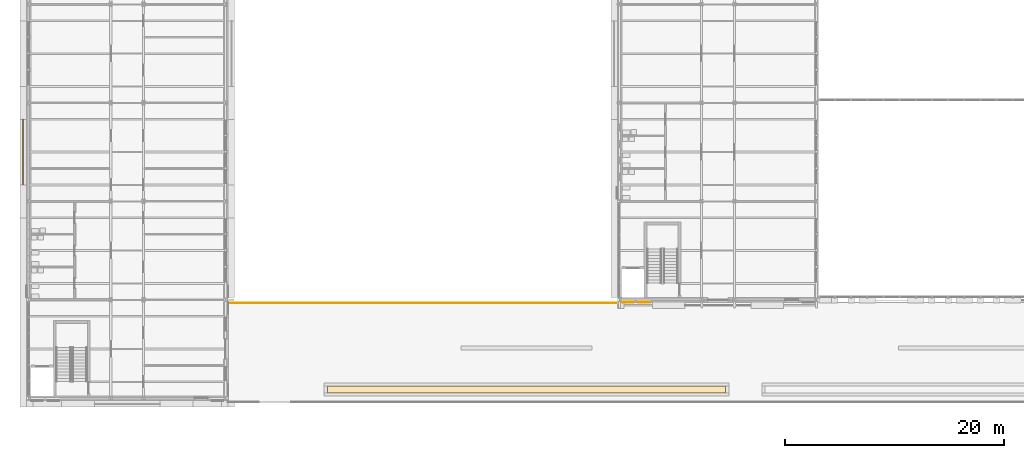
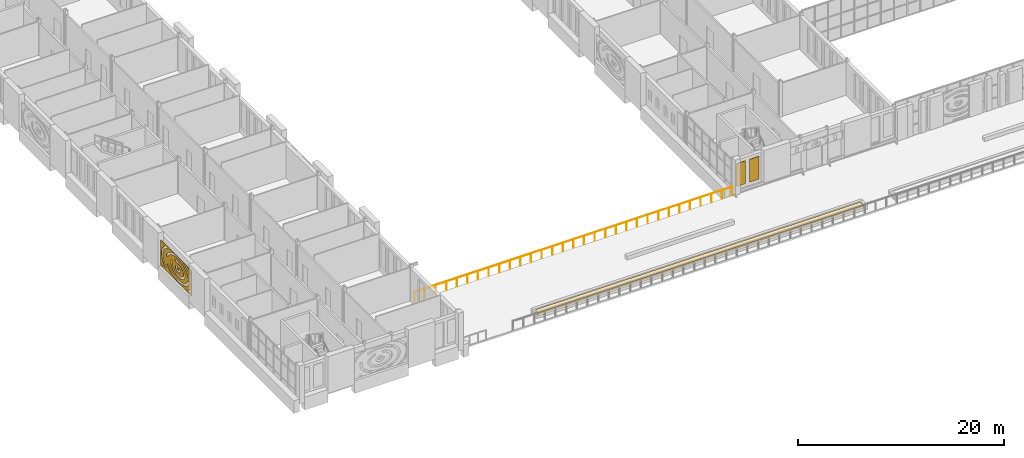
# One storey, part 108 of 134: 4 coverings, 1 railing.
"""IFC4 building model written with IfcOpenShell, lengths in metres."""

from ifc_helpers import new_model, si_unit, direction, frame, origin, origin_2d, place, context, subcontext, project, spatial, polyline, circle, outline, extrude, material, layer, layer_set, type_object, element, save


model = new_model("IFC4")

# Units and contexts
model_context = context("Model", 3, precision=1e-05, world=origin(), true_north=direction((0.0, 1.0)))
body_context = subcontext(model_context, "Body", "Model", "MODEL_VIEW")
ifc_project = project(units=[si_unit("LENGTHUNIT", "METRE"), si_unit("AREAUNIT", "SQUARE_METRE"), si_unit("VOLUMEUNIT", "CUBIC_METRE"), si_unit("PLANEANGLEUNIT", "RADIAN"), si_unit("MASSUNIT", "GRAM", prefix="KILO")], contexts=[model_context])

# Site, building, storey
site_placement = place(None, origin())
site = spatial("IfcSite", under=ifc_project, at=site_placement, CompositionType="ELEMENT")
building_placement = place(site_placement, origin())
building = spatial("IfcBuilding", under=site, at=building_placement, Name="Golden Quay Civic Hall", CompositionType="ELEMENT")
storey_placement = place(building_placement, frame((0.0, 0.0, 5.39990234375)))
storey = spatial("IfcBuildingStorey", under=building, at=storey_placement, Name="L01", CompositionType="ELEMENT", Elevation=5.39990234375)

# Coverings
ifc_material_1 = material(Name="Aluminium, golden anodised, perforated", Category="aluminium")
ifc_layer_1 = layer(ifc_material_1, 0.0400390625)
ifc_layer_set_1 = layer_set([ifc_layer_1], Name="Perforated screen panel 6000 x 3000 x 40")
covering_type_1 = type_object("IfcCoveringType", Name="Perforated screen panel 6000 x 3000 x 40", PredefinedType="CLADDING", material=ifc_layer_set_1)
covering_1_placement = place(storey_placement, frame((-0.5, 13.5, 2.10009765625), z_axis=(-1.0, 0.0, 0.0), x_axis=(0.0, -1.0, 0.0)))
element("IfcCovering", 1, at=covering_1_placement, inside=storey, type_object=covering_type_1, Name="Perforated screen panel 6000 x 3000 x 40 L01 1", PredefinedType="CLADDING", context=body_context, shape_type="SweptSolid", body=[
    extrude(outline(polyline([(-3.0, -1.5), (3.0, -1.5), (3.0, 1.5), (-3.0, 1.5), (-3.0, -1.5)]), holes=[polyline([(0.258056640625, 0.16650390625), (0.1943359375, 0.14599609375), (0.162109375, 0.12841796875), (0.139404296875, 0.110595703125), (0.126708984375, 0.095458984375), (0.120849609375, 0.080078125), (0.1259765625, 0.065673828125), (0.1376953125, 0.051025390625), (0.174072265625, 0.0244140625), (0.210205078125, 0.007568359375), (0.277587890625, -0.010498046875), (0.327880859375, -0.015869140625), (0.379150390625, -0.015380859375), (0.45263671875, -0.004150390625), (0.495361328125, 0.009765625), (0.544189453125, 0.035888671875), (0.564453125, 0.05322265625), (0.574951171875, 0.0673828125), (0.5791015625, 0.07861328125), (0.57568359375, 0.09130859375), (0.55810546875, 0.11279296875), (0.5341796875, 0.130859375), (0.4765625, 0.1572265625), (0.562744140625, 0.38232421875), (0.633056640625, 0.351806640625), (0.68798828125, 0.317626953125), (0.742431640625, 0.269287109375), (0.77392578125, 0.22900390625), (0.801513671875, 0.176513671875), (0.816650390625, 0.123291015625), (0.81982421875, 0.064697265625), (0.810302734375, 0.009521484375), (0.797607421875, -0.02587890625), (0.780517578125, -0.05859375), (0.759765625, -0.0888671875), (0.735595703125, -0.1162109375), (0.708984375, -0.14111328125), (0.6572265625, -0.177978515625), (0.581298828125, -0.21533203125), (0.54541015625, -0.22802734375), (0.477294921875, -0.245361328125), (0.3916015625, -0.256103515625), (0.319091796875, -0.256591796875), (0.272705078125, -0.2529296875), (0.2021484375, -0.240966796875), (0.164794921875, -0.231201171875), (0.093505859375, -0.20458984375), (0.0283203125, -0.1689453125), (-0.02880859375, -0.123291015625), (-0.06201171875, -0.085693359375), (-0.093505859375, -0.034912109375), (-0.1123046875, 0.016357421875), (-0.1201171875, 0.074462890625), (-0.115234375, 0.130615234375), (-0.097412109375, 0.186767578125), (-0.0712890625, 0.23291015625), (-0.03271484375, 0.279296875), (0.025390625, 0.326904296875), (0.066162109375, 0.351318359375), (0.135009765625, 0.381591796875), (0.201904296875, 0.40087890625), (0.27978515625, 0.413818359375), (0.310546875, 0.1748046875), (0.258056640625, 0.16650390625)]), polyline([(-0.724609375, 0.27685546875), (-0.746826171875, 0.232421875), (-0.76318359375, 0.187744140625), (-0.773681640625, 0.143310546875), (-0.77880859375, 0.09912109375), (-0.778564453125, 0.05517578125), (-0.772705078125, 0.010986328125), (-0.761474609375, -0.033447265625), (-0.744384765625, -0.078125), (-0.721435546875, -0.122802734375), (-0.6923828125, -0.167236328125), (-0.6572265625, -0.211181640625), (-0.61572265625, -0.254150390625), (-0.568603515625, -0.2958984375), (-0.515380859375, -0.3359375), (-0.456787109375, -0.373779296875), (-0.392822265625, -0.409423828125), (-0.32421875, -0.44189453125), (-0.251220703125, -0.4716796875), (-0.17431640625, -0.497802734375), (-0.093994140625, -0.5205078125), (-0.010986328125, -0.539306640625), (0.07470703125, -0.55419921875), (0.161865234375, -0.565185546875), (0.250244140625, -0.572021484375), (0.339599609375, -0.574462890625), (0.4287109375, -0.572998046875), (0.517333984375, -0.567138671875), (0.60498046875, -0.55712890625), (0.69091796875, -0.543212890625), (0.774658203125, -0.525146484375), (0.855712890625, -0.50341796875), (0.933349609375, -0.47802734375), (1.00732421875, -0.44921875), (1.0771484375, -0.417236328125), (1.14208984375, -0.382568359375), (1.201904296875, -0.34521484375), (1.256591796875, -0.305419921875), (1.30517578125, -0.26416015625), (1.347900390625, -0.221435546875), (1.384521484375, -0.177490234375), (1.4150390625, -0.13330078125), (1.439453125, -0.088623046875), (1.4580078125, -0.0439453125), (1.470458984375, 0.00048828125), (1.4775390625, 0.044677734375), (1.479248046875, 0.0888671875), (1.475341796875, 0.1328125), (1.46630859375, 0.17724609375), (1.451171875, 0.2216796875), (1.430419921875, 0.266357421875), (1.40380859375, 0.310791015625), (1.370849609375, 0.35498046875), (1.331787109375, 0.3984375), (1.28662109375, 0.44091796875), (1.235595703125, 0.4814453125), (1.178955078125, 0.520263671875), (1.116943359375, 0.556640625), (1.0498046875, 0.59033203125), (0.978515625, 0.62109375), (0.90283203125, 0.648681640625), (0.82373046875, 0.672607421875), (0.74169921875, 0.69287109375), (0.656982421875, 0.709228515625), (0.5703125, 0.7216796875), (0.482177734375, 0.72998046875), (0.393310546875, 0.73388671875), (0.303955078125, 0.73388671875), (0.215087890625, 0.729736328125), (0.126953125, 0.72119140625), (0.040283203125, 0.708740234375), (-0.044189453125, 0.692138671875), (-0.12939453125, 0.671142578125), (-0.1875, 0.90478515625), (-0.093505859375, 0.927978515625), (0.0029296875, 0.94677734375), (0.101318359375, 0.960693359375), (0.195068359375, 0.9697265625), (0.29541015625, 0.974609375), (0.39599609375, 0.974853515625), (0.49609375, 0.970458984375), (0.595703125, 0.961181640625), (0.69970703125, 0.9462890625), (0.790283203125, 0.9287109375), (0.884521484375, 0.90576171875), (0.975830078125, 0.878173828125), (1.0703125, 0.84375), (1.1484375, 0.810302734375), (1.228759765625, 0.77001953125), (1.304443359375, 0.725830078125), (1.375244140625, 0.677978515625), (1.4404296875, 0.626220703125), (1.50732421875, 0.5634765625), (1.560546875, 0.50341796875), (1.600341796875, 0.4501953125), (1.64013671875, 0.385009765625), (1.672607421875, 0.317138671875), (1.700439453125, 0.2333984375), (1.71484375, 0.16064453125), (1.72021484375, 0.08740234375), (1.716552734375, 0.013916015625), (1.7041015625, -0.05859375), (1.68310546875, -0.129638671875), (1.65966796875, -0.1865234375), (1.62353515625, -0.254150390625), (1.572998046875, -0.327880859375), (1.522216796875, -0.387939453125), (1.46484375, -0.444580078125), (1.408935546875, -0.4921875), (1.333251953125, -0.54736328125), (1.259521484375, -0.593017578125), (1.1875, -0.63134765625), (1.09814453125, -0.672607421875), (1.011474609375, -0.7060546875), (0.921142578125, -0.7353515625), (0.833984375, -0.7587890625), (0.732666015625, -0.780517578125), (0.635009765625, -0.796142578125), (0.54150390625, -0.806884765625), (0.435791015625, -0.813720703125), (0.341064453125, -0.8154296875), (0.240478515625, -0.8125), (0.135009765625, -0.804443359375), (0.041748046875, -0.79296875), (-0.055419921875, -0.776123046875), (-0.150390625, -0.754638671875), (-0.242919921875, -0.728759765625), (-0.33837890625, -0.696044921875), (-0.41796875, -0.6640625), (-0.499755859375, -0.625244140625), (-0.583984375, -0.578369140625), (-0.64990234375, -0.535888671875), (-0.71728515625, -0.485595703125), (-0.7861328125, -0.424560546875), (-0.834716796875, -0.3740234375), (-0.884033203125, -0.313232421875), (-0.9326171875, -0.23828125), (-0.961669921875, -0.182373046875), (-0.989013671875, -0.113037109375), (-1.010498046875, -0.027587890625), (-1.018310546875, 0.031005859375), (-1.019775390625, 0.1044921875), (-1.009765625, 0.192138671875), (-0.99169921875, 0.263916015625), (-0.970703125, 0.3212890625), (-0.931396484375, 0.400634765625), (-0.889892578125, 0.465087890625), (-0.8486328125, 0.51806640625), (-0.65869140625, 0.36962890625), (-0.696533203125, 0.3212890625), (-0.724609375, 0.27685546875)]), polyline([(-1.382568359375, -0.546630859375), (-1.3115234375, -0.611572265625), (-1.2333984375, -0.673828125), (-1.1484375, -0.7333984375), (-1.05712890625, -0.789794921875), (-0.959716796875, -0.843017578125), (-0.856201171875, -0.89208984375), (-0.747802734375, -0.937255859375), (-0.634521484375, -0.978271484375), (-0.51708984375, -1.0146484375), (-0.3955078125, -1.04638671875), (-0.27099609375, -1.073486328125), (-0.143798828125, -1.095703125), (-0.014404296875, -1.112548828125), (0.11669921875, -1.12451171875), (0.248779296875, -1.131103515625), (0.38134765625, -1.13232421875), (0.513671875, -1.12841796875), (0.645263671875, -1.119384765625), (0.775634765625, -1.105224609375), (0.904052734375, -1.085693359375), (1.0302734375, -1.061279296875), (1.1533203125, -1.031982421875), (1.27294921875, -0.998046875), (1.388671875, -0.95947265625), (1.499755859375, -0.91650390625), (1.605712890625, -0.869384765625), (1.706298828125, -0.818359375), (1.801025390625, -0.763671875), (1.889404296875, -0.705810546875), (1.97119140625, -0.644775390625), (2.0458984375, -0.581298828125), (2.113525390625, -0.51513671875), (2.173583984375, -0.447509765625), (2.22607421875, -0.3779296875), (2.270751953125, -0.307373046875), (2.3076171875, -0.236083984375), (2.3369140625, -0.163818359375), (2.3583984375, -0.091552734375), (2.37255859375, -0.018798828125), (2.37890625, 0.0537109375), (2.3779296875, 0.12646484375), (2.369384765625, 0.19921875), (2.353271484375, 0.271728515625), (2.32958984375, 0.343994140625), (2.298095703125, 0.416015625), (2.259033203125, 0.4873046875), (2.212158203125, 0.5576171875), (2.157470703125, 0.62646484375), (2.095458984375, 0.69384765625), (2.02587890625, 0.75927734375), (1.94921875, 0.822021484375), (1.865478515625, 0.882080078125), (1.775146484375, 0.939208984375), (1.6787109375, 0.992919921875), (1.57666015625, 1.04296875), (1.468994140625, 1.0888671875), (1.356689453125, 1.130615234375), (1.239990234375, 1.168212890625), (1.119384765625, 1.20068359375), (0.995361328125, 1.228759765625), (0.868408203125, 1.251708984375), (0.739501953125, 1.269775390625), (0.608642578125, 1.282470703125), (0.476806640625, 1.2900390625), (0.34423828125, 1.29248046875), (0.2119140625, 1.289794921875), (0.080078125, 1.281494140625), (-0.05078125, 1.268310546875), (-0.1796875, 1.25), (-0.30615234375, 1.2265625), (-0.429931640625, 1.197998046875), (-0.55029296875, 1.1650390625), (-0.666748046875, 1.127197265625), (-0.77880859375, 1.085205078125), (-0.8857421875, 1.038818359375), (-0.9873046875, 0.988525390625), (-1.083251953125, 0.9345703125), (-1.173095703125, 0.877197265625), (-1.256103515625, 0.816650390625), (-1.33203125, 0.753662109375), (-1.401123046875, 0.68798828125), (-1.462646484375, 0.62060546875), (-1.5166015625, 0.551513671875), (-1.562744140625, 0.481201171875), (-1.60107421875, 0.409912109375), (-1.634033203125, 0.33251953125), (-1.855712890625, 0.42724609375), (-1.81591796875, 0.519287109375), (-1.766845703125, 0.60888671875), (-1.70947265625, 0.69580078125), (-1.649658203125, 0.7724609375), (-1.576171875, 0.853515625), (-1.4951171875, 0.930908203125), (-1.40673828125, 1.004638671875), (-1.311767578125, 1.07421875), (-1.210205078125, 1.13916015625), (-1.102783203125, 1.199951171875), (-0.98974609375, 1.256103515625), (-0.87158203125, 1.307373046875), (-0.748779296875, 1.353759765625), (-0.6220703125, 1.39501953125), (-0.452880859375, 1.43994140625), (1.153564453125, 1.43994140625), (1.310791015625, 1.398193359375), (1.432861328125, 1.359375), (1.555908203125, 1.313720703125), (1.67431640625, 1.26318359375), (1.78759765625, 1.2080078125), (1.895263671875, 1.148193359375), (1.997314453125, 1.083984375), (2.0927734375, 1.015380859375), (2.181640625, 0.94287109375), (2.269287109375, 0.8603515625), (2.337646484375, 0.78662109375), (2.404052734375, 0.703125), (2.46240234375, 0.61669921875), (2.511962890625, 0.527099609375), (2.556640625, 0.424560546875), (2.583984375, 0.34130859375), (2.605712890625, 0.245361328125), (2.61865234375, 0.13623046875), (2.619384765625, 0.038818359375), (2.610107421875, -0.058349609375), (2.591064453125, -0.154541015625), (2.566162109375, -0.23828125), (2.52880859375, -0.331787109375), (2.47705078125, -0.431884765625), (2.421142578125, -0.519287109375), (2.36279296875, -0.596435546875), (2.284912109375, -0.6845703125), (2.205078125, -0.761962890625), (2.118408203125, -0.835693359375), (2.030517578125, -0.90087890625), (1.92431640625, -0.970703125), (1.818115234375, -1.03173828125), (1.706298828125, -1.08837890625), (1.5947265625, -1.1376953125), (1.467529296875, -1.18701171875), (1.341552734375, -1.22900390625), (1.216796875, -1.264404296875), (1.07861328125, -1.29736328125), (0.9423828125, -1.323486328125), (0.80908203125, -1.34375), (0.664306640625, -1.359619140625), (0.52294921875, -1.369140625), (0.385986328125, -1.373291015625), (0.239013671875, -1.37158203125), (0.102294921875, -1.36474609375), (-0.038330078125, -1.352294921875), (-0.182373046875, -1.33349609375), (-0.314697265625, -1.310546875), (-0.44921875, -1.281494140625), (-0.585693359375, -1.24560546875), (-0.70849609375, -1.20751953125), (-0.83251953125, -1.162841796875), (-0.957275390625, -1.11083984375), (-1.066162109375, -1.05908203125), (-1.175048828125, -1.0), (-1.278076171875, -0.9365234375), (-1.375, -0.868896484375), (-1.47119140625, -0.7919921875), (-1.548095703125, -0.7216796875), (-1.623779296875, -0.64208984375), (-1.69189453125, -0.5595703125), (-1.505126953125, -0.4072265625), (-1.446044921875, -0.4794921875), (-1.382568359375, -0.546630859375)]), polyline([(1.931396484375, -1.407958984375), (2.066162109375, -1.35205078125), (2.19580078125, -1.291748046875), (2.3193359375, -1.22705078125), (2.436767578125, -1.15869140625), (2.547607421875, -1.086669921875), (2.6513671875, -1.010986328125), (2.747802734375, -0.932373046875), (2.8369140625, -0.85107421875), (2.93994140625, -0.741455078125), (2.93994140625, -1.083251953125), (2.80078125, -1.199951171875), (2.681640625, -1.28662109375), (2.560791015625, -1.365234375), (2.43212890625, -1.43994140625), (1.843994140625, -1.43994140625), (1.931396484375, -1.407958984375)]), polyline([(2.88818359375, 0.958984375), (2.80419921875, 1.042236328125), (2.712158203125, 1.12255859375), (2.61279296875, 1.199951171875), (2.50634765625, 1.2744140625), (2.39306640625, 1.34521484375), (2.21728515625, 1.43994140625), (2.68994140625, 1.43994140625), (2.75341796875, 1.395751953125), (2.863037109375, 1.310302734375), (2.93994140625, 1.243408203125), (2.93994140625, 0.9013671875), (2.88818359375, 0.958984375)]), polyline([(-1.6171875, 1.388427734375), (-1.734619140625, 1.320068359375), (-1.845703125, 1.247802734375), (-1.949462890625, 1.172607421875), (-2.046142578125, 1.093994140625), (-2.135498046875, 1.012451171875), (-2.216796875, 0.9287109375), (-2.2900390625, 0.842529296875), (-2.35546875, 0.754638671875), (-2.412353515625, 0.665283203125), (-2.461181640625, 0.574462890625), (-2.50146484375, 0.48291015625), (-2.533203125, 0.390380859375), (-2.556884765625, 0.297607421875), (-2.572021484375, 0.2041015625), (-2.5791015625, 0.11083984375), (-2.57763671875, 0.017333984375), (-2.56787109375, -0.076171875), (-2.5498046875, -0.169189453125), (-2.5234375, -0.261962890625), (-2.488525390625, -0.354248046875), (-2.4453125, -0.445556640625), (-2.393798828125, -0.535888671875), (-2.333984375, -0.625), (-2.26611328125, -0.712158203125), (-2.189697265625, -0.797607421875), (-2.105712890625, -0.880615234375), (-2.013916015625, -0.961181640625), (-1.912353515625, -1.04052734375), (-2.060546875, -1.23046875), (-2.17041015625, -1.14453125), (-2.2724609375, -1.054443359375), (-2.366943359375, -0.960693359375), (-2.45361328125, -0.863525390625), (-2.526611328125, -0.769775390625), (-2.59619140625, -0.666748046875), (-2.656982421875, -0.56103515625), (-2.70849609375, -0.45263671875), (-2.75048828125, -0.34228515625), (-2.782958984375, -0.230224609375), (-2.806884765625, -0.106201171875), (-2.818359375, 0.00830078125), (-2.819580078125, 0.123291015625), (-2.810791015625, 0.23779296875), (-2.793701171875, 0.34130859375), (-2.765625, 0.45458984375), (-2.7275390625, 0.566162109375), (-2.6796875, 0.67578125), (-2.617919921875, 0.791015625), (-2.551513671875, 0.894775390625), (-2.47607421875, 0.995849609375), (-2.392333984375, 1.093505859375), (-2.300537109375, 1.18798828125), (-2.2060546875, 1.274169921875), (-2.098876953125, 1.361572265625), (-1.9912109375, 1.43994140625), (-1.51806640625, 1.43994140625), (-1.6171875, 1.388427734375)]), polyline([(-2.8173828125, 1.384033203125), (-2.91796875, 1.289306640625), (-2.93994140625, 1.26611328125), (-2.93994140625, 1.43994140625), (-2.751708984375, 1.43994140625), (-2.8173828125, 1.384033203125)]), polyline([(-2.93994140625, -1.10595703125), (-2.81689453125, -1.224609375), (-2.708740234375, -1.316650390625), (-2.543701171875, -1.43994140625), (-2.935302734375, -1.43994140625), (-2.93994140625, -1.43603515625), (-2.93994140625, -1.10595703125)])]), origin(), (0.0, 0.0, 1.0), 0.0400390625),
])
ifc_material_2 = material(Name="Planting soil")
ifc_layer_2 = layer(ifc_material_2, 0.39990234375)
ifc_layer_set_2 = layer_set([ifc_layer_2], Name="Planting soil 400")
covering_type_2 = type_object("IfcCoveringType", Name="Planting soil 400", PredefinedType="FLOORING", material=ifc_layer_set_2)
covering_2_placement = place(storey_placement, origin())
element("IfcCovering", 2, at=covering_2_placement, inside=storey, type_object=covering_type_2, Name="Terrace planting 1", PredefinedType="FLOORING", context=body_context, shape_type="SweptSolid", body=[
    extrude(outline(polyline([(27.300048828125, -8.5), (63.699951171875, -8.5), (63.699951171875, -7.89990234375), (27.300048828125, -7.89990234375), (27.300048828125, -8.5)])), origin(), (0.0, 0.0, 1.0), 0.400146484375),
])

# Railing
ifc_material_3 = material(Name="Stainless steel", Category="steel")
railing_type = type_object("IfcRailingType", Name="Stainless steel guard 1100", PredefinedType="GUARDRAIL", material=ifc_material_3)
railing_placement = place(storey_placement, frame((18.199951171875, -0.280029296875, 0.0)))
element("IfcRailing", 3, at=railing_placement, inside=storey, type_object=railing_type, Name="Terrace guard court 1", PredefinedType="GUARDRAIL", context=body_context, shape_type="SweptSolid", body=[
    extrude(circle(Radius=0.02490234375, at=origin_2d()), frame((0.0, 0.0, 1.0751953125), z_axis=(1.0, 0.0, 0.0), x_axis=(0.0, 1.0, 0.0)), (0.0, 0.0, 1.0), 35.60009765625),
    extrude(circle(Radius=0.02001953125, at=origin_2d()), origin(), (0.0, 0.0, 1.0), 1.050048828125),
    extrude(circle(Radius=0.02001953125, at=origin_2d()), frame((1.186767578125, 0.0, 0.0)), (0.0, 0.0, 1.0), 1.050048828125),
    extrude(circle(Radius=0.02001953125, at=origin_2d()), frame((2.373291015625, 0.0, 0.0)), (0.0, 0.0, 1.0), 1.050048828125),
    extrude(circle(Radius=0.02001953125, at=origin_2d()), frame((3.56005859375, 0.0, 0.0)), (0.0, 0.0, 1.0), 1.050048828125),
    extrude(circle(Radius=0.02001953125, at=origin_2d()), frame((4.74658203125, 0.0, 0.0)), (0.0, 0.0, 1.0), 1.050048828125),
    extrude(circle(Radius=0.02001953125, at=origin_2d()), frame((5.933349609375, 0.0, 0.0)), (0.0, 0.0, 1.0), 1.050048828125),
    extrude(circle(Radius=0.02001953125, at=origin_2d()), frame((7.1201171875, 0.0, 0.0)), (0.0, 0.0, 1.0), 1.050048828125),
    extrude(circle(Radius=0.02001953125, at=origin_2d()), frame((8.306640625, 0.0, 0.0)), (0.0, 0.0, 1.0), 1.050048828125),
    extrude(circle(Radius=0.02001953125, at=origin_2d()), frame((9.493408203125, 0.0, 0.0)), (0.0, 0.0, 1.0), 1.050048828125),
    extrude(circle(Radius=0.02001953125, at=origin_2d()), frame((10.679931640625, 0.0, 0.0)), (0.0, 0.0, 1.0), 1.050048828125),
    extrude(circle(Radius=0.02001953125, at=origin_2d()), frame((11.86669921875, 0.0, 0.0)), (0.0, 0.0, 1.0), 1.050048828125),
    extrude(circle(Radius=0.02001953125, at=origin_2d()), frame((13.053466796875, 0.0, 0.0)), (0.0, 0.0, 1.0), 1.050048828125),
    extrude(circle(Radius=0.02001953125, at=origin_2d()), frame((14.239990234375, 0.0, 0.0)), (0.0, 0.0, 1.0), 1.050048828125),
    extrude(circle(Radius=0.02001953125, at=origin_2d()), frame((15.4267578125, 0.0, 0.0)), (0.0, 0.0, 1.0), 1.050048828125),
    extrude(circle(Radius=0.02001953125, at=origin_2d()), frame((16.61328125, 0.0, 0.0)), (0.0, 0.0, 1.0), 1.050048828125),
    extrude(circle(Radius=0.02001953125, at=origin_2d()), frame((17.800048828125, 0.0, 0.0)), (0.0, 0.0, 1.0), 1.050048828125),
    extrude(circle(Radius=0.02001953125, at=origin_2d()), frame((18.98681640625, 0.0, 0.0)), (0.0, 0.0, 1.0), 1.050048828125),
    extrude(circle(Radius=0.02001953125, at=origin_2d()), frame((20.17333984375, 0.0, 0.0)), (0.0, 0.0, 1.0), 1.050048828125),
    extrude(circle(Radius=0.02001953125, at=origin_2d()), frame((21.360107421875, 0.0, 0.0)), (0.0, 0.0, 1.0), 1.050048828125),
    extrude(circle(Radius=0.02001953125, at=origin_2d()), frame((22.546630859375, 0.0, 0.0)), (0.0, 0.0, 1.0), 1.050048828125),
    extrude(circle(Radius=0.02001953125, at=origin_2d()), frame((23.7333984375, 0.0, 0.0)), (0.0, 0.0, 1.0), 1.050048828125),
    extrude(circle(Radius=0.02001953125, at=origin_2d()), frame((24.920166015625, 0.0, 0.0)), (0.0, 0.0, 1.0), 1.050048828125),
    extrude(circle(Radius=0.02001953125, at=origin_2d()), frame((26.106689453125, 0.0, 0.0)), (0.0, 0.0, 1.0), 1.050048828125),
    extrude(circle(Radius=0.02001953125, at=origin_2d()), frame((27.29345703125, 0.0, 0.0)), (0.0, 0.0, 1.0), 1.050048828125),
    extrude(circle(Radius=0.02001953125, at=origin_2d()), frame((28.47998046875, 0.0, 0.0)), (0.0, 0.0, 1.0), 1.050048828125),
    extrude(circle(Radius=0.02001953125, at=origin_2d()), frame((29.666748046875, 0.0, 0.0)), (0.0, 0.0, 1.0), 1.050048828125),
    extrude(circle(Radius=0.02001953125, at=origin_2d()), frame((30.853515625, 0.0, 0.0)), (0.0, 0.0, 1.0), 1.050048828125),
    extrude(circle(Radius=0.02001953125, at=origin_2d()), frame((32.0400390625, 0.0, 0.0)), (0.0, 0.0, 1.0), 1.050048828125),
    extrude(circle(Radius=0.02001953125, at=origin_2d()), frame((33.226806640625, 0.0, 0.0)), (0.0, 0.0, 1.0), 1.050048828125),
    extrude(circle(Radius=0.02001953125, at=origin_2d()), frame((34.413330078125, 0.0, 0.0)), (0.0, 0.0, 1.0), 1.050048828125),
    extrude(circle(Radius=0.02001953125, at=origin_2d()), frame((35.60009765625, 0.0, 0.0)), (0.0, 0.0, 1.0), 1.050048828125),
])

# Coverings
ifc_material_4 = material(Name="Terracotta cladding, golden glaze", Category="masonry")
ifc_layer_3 = layer(ifc_material_4, 0.050048828125)
ifc_layer_set_3 = layer_set([ifc_layer_3], Name="Terracotta solid panel 1050 x 2700 x 50")
covering_type_3 = type_object("IfcCoveringType", Name="Terracotta solid panel 1050 x 2700 x 50", PredefinedType="CLADDING", material=ifc_layer_set_3)
covering_3_placement = place(storey_placement, frame((0.0, 0.0, 0.900146484375)))
element("IfcCovering", 4, at=covering_3_placement, inside=storey, type_object=covering_type_3, Name="Terracotta solid panel 1050 x 2700 x 50 L01 23", PredefinedType="CLADDING", context=body_context, shape_type="SweptSolid", body=[
    extrude(outline(polyline([(54.22509765625, -0.199951171875), (55.27490234375, -0.199951171875), (55.27490234375, -0.25), (54.22509765625, -0.25), (54.22509765625, -0.199951171875)])), origin(), (0.0, 0.0, 1.0), 2.699951171875),
])
covering_4_placement = place(storey_placement, frame((0.0, 0.0, 0.900146484375)))
element("IfcCovering", 5, at=covering_4_placement, inside=storey, type_object=covering_type_3, Name="Terracotta solid panel 1050 x 2700 x 50 L01 24", PredefinedType="CLADDING", context=body_context, shape_type="SweptSolid", body=[
    extrude(outline(polyline([(55.72509765625, -0.199951171875), (56.77490234375, -0.199951171875), (56.77490234375, -0.25), (55.72509765625, -0.25), (55.72509765625, -0.199951171875)])), origin(), (0.0, 0.0, 1.0), 2.699951171875),
])

save(model, "model.ifc")
